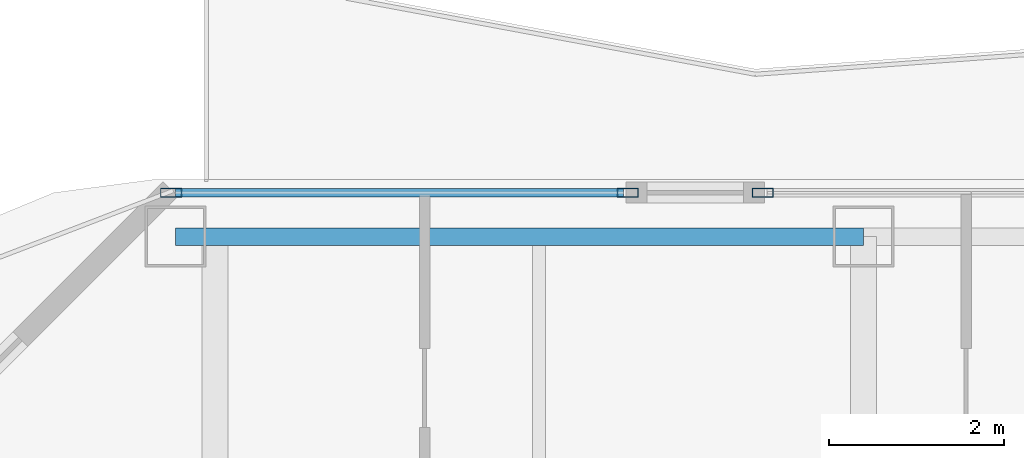
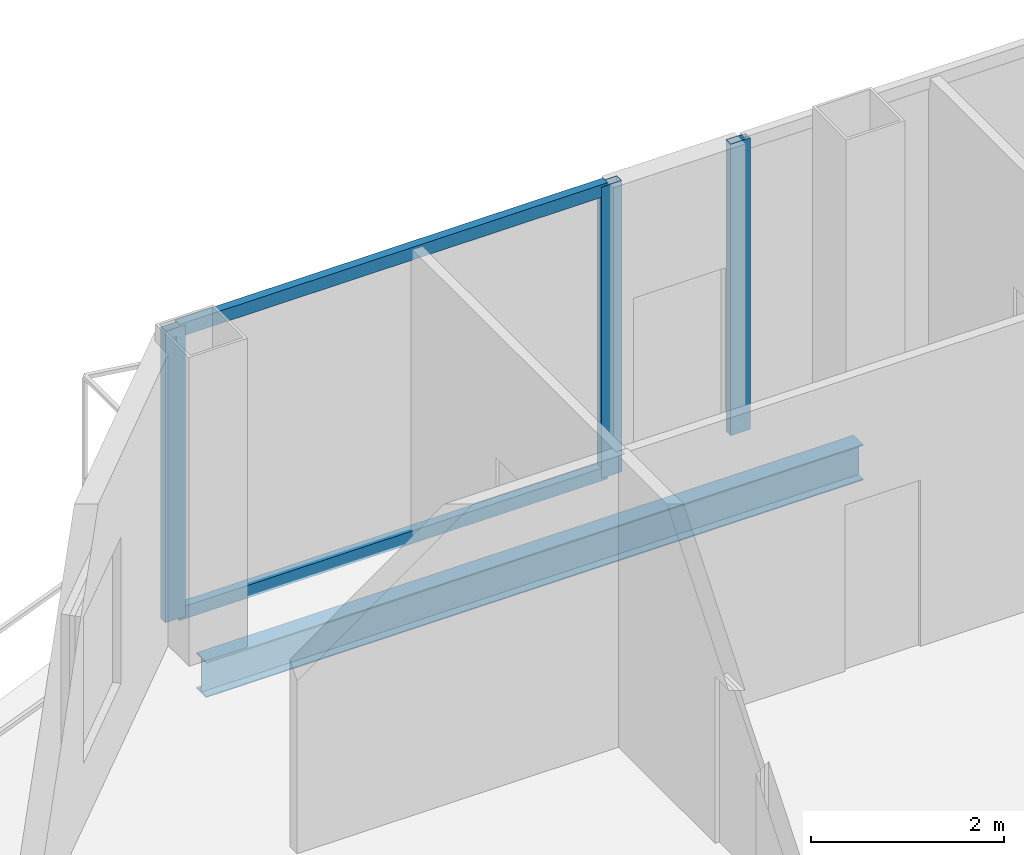
# One storey, part 14 of 26: 5 members, 1 beam, 2 elements without a shape of their own.
"""IFC4 building model written with IfcOpenShell, lengths in metres."""

from ifc_helpers import new_model, si_unit, direction, frame, origin, origin_2d, place, context, subcontext, project, spatial, hollow_rectangle, i_section, extrude, material, layer, layer_set, material_profile, profile_set, type_object, element, aggregate, save


model = new_model("IFC4")

# Units and contexts
model_context = context("Model", 3, precision=1e-05, world=origin(), true_north=direction((0.0, 1.0)))
body_context = subcontext(model_context, "Body", "Model", "MODEL_VIEW")
ifc_project = project(units=[si_unit("LENGTHUNIT", "METRE"), si_unit("AREAUNIT", "SQUARE_METRE"), si_unit("VOLUMEUNIT", "CUBIC_METRE"), si_unit("PLANEANGLEUNIT", "RADIAN"), si_unit("MASSUNIT", "GRAM", prefix="KILO")], contexts=[model_context])

# Site, building, storey
site_placement = place(None, origin())
site = spatial("IfcSite", under=ifc_project, at=site_placement, CompositionType="ELEMENT")
building_placement = place(site_placement, origin())
building = spatial("IfcBuilding", under=site, at=building_placement, Name="Khorvyn Point Tower", CompositionType="ELEMENT")
storey_placement = place(building_placement, frame((0.0, 0.0, 113.39990234375)))
storey = spatial("IfcBuildingStorey", under=building, at=storey_placement, Name="L28", CompositionType="ELEMENT", Elevation=113.39990234375)

# Curtain wall, members
ifc_material_1 = material(Name="Anodised aluminium 6063-T6 and laminated Low-E glass", Category="aluminium")
ifc_layer = layer(ifc_material_1, 0.18994140625)
ifc_layer_set = layer_set([ifc_layer], Name="Stick-Built Acoustic Curtain Wall CW-SYS-03")
curtain_wall_type = type_object("IfcCurtainWallType", Name="Stick-Built Acoustic Curtain Wall CW-SYS-03", PredefinedType="NOTDEFINED", material=ifc_layer_set)
curtain_wall_1_placement = place(storey_placement, origin())
curtain_wall_1 = element("IfcCurtainWall", 1, at=curtain_wall_1_placement, inside=storey, type_object=curtain_wall_type, Name="Curtain Wall", PredefinedType="NOTDEFINED")
ifc_material_2 = material(Name="Anodised aluminium 6063-T6", Category="aluminium")
ifc_material_profile_1 = material_profile(ifc_material_2, hollow_rectangle(XDim=0.10009765625, YDim=0.239990234375, WallThickness=0.0048828125, at=origin_2d()))
ifc_profile_set_1 = profile_set([ifc_material_profile_1], Name="Anodised aluminium 6063-T6 ALU-MUL-100x240")
member_type_1 = type_object("IfcMemberType", Name="Anodised Aluminium 6063-T6 Mullion ALU-MUL-100x240", PredefinedType="MULLION", material=ifc_profile_set_1)
member_1_placement = place(storey_placement, frame((-15.300048828125, 29.449951171875, 0.0), z_axis=(0.0, 0.0, 1.0), x_axis=(0.0, 1.0, 0.0)))
member_1 = element("IfcMember", 2, at=member_1_placement, type_object=member_type_1, Name="Transom", PredefinedType="MULLION", context=body_context, shape_type="SweptSolid", body=[
    extrude(hollow_rectangle(XDim=0.10009765625, YDim=0.239990234375, WallThickness=0.0048828125, at=origin_2d()), origin(), (0.0, 0.0, 1.0), 3.68017578125),
])
member_2_placement = place(storey_placement, frame((-10.089111328125, 29.449951171875, 0.0), z_axis=(0.0, 0.0, 1.0), x_axis=(0.0, 1.0, 0.0)))
member_2 = element("IfcMember", 3, at=member_2_placement, type_object=member_type_1, Name="Transom", PredefinedType="MULLION", context=body_context, shape_type="SweptSolid", body=[
    extrude(hollow_rectangle(XDim=0.10009765625, YDim=0.239990234375, WallThickness=0.0048828125, at=origin_2d()), origin(), (0.0, 0.0, 1.0), 3.68017578125),
])

# Curtain wall, member
curtain_wall_2_placement = place(storey_placement, origin())
curtain_wall_2 = element("IfcCurtainWall", 4, at=curtain_wall_2_placement, inside=storey, type_object=curtain_wall_type, Name="Curtain Wall", PredefinedType="NOTDEFINED")
member_3_placement = place(storey_placement, frame((-8.549072265625, 29.449951171875, 0.0), z_axis=(0.0, 0.0, 1.0), x_axis=(0.0, 1.0, 0.0)))
member_3 = element("IfcMember", 5, at=member_3_placement, type_object=member_type_1, Name="Transom", PredefinedType="MULLION", context=body_context, shape_type="SweptSolid", body=[
    extrude(hollow_rectangle(XDim=0.10009765625, YDim=0.239990234375, WallThickness=0.0048828125, at=origin_2d()), origin(), (0.0, 0.0, 1.0), 3.68017578125),
])
aggregate(curtain_wall_2, [member_3])

# Member
ifc_material_profile_2 = material_profile(ifc_material_2, hollow_rectangle(XDim=0.10009765625, YDim=0.159912109375, WallThickness=0.00439453125, at=origin_2d()))
ifc_profile_set_2 = profile_set([ifc_material_profile_2], Name="Anodised aluminium 6063-T6 ALU-TRN-100x160")
member_type_2 = type_object("IfcMemberType", Name="Anodised Aluminium 6063-T6 Transom ALU-TRN-100x160", PredefinedType="USERDEFINED", material=ifc_profile_set_2)
member_4_placement = place(storey_placement, frame((-15.25, 29.449951171875, 0.050048828125), z_axis=(1.0, 0.0, 0.0), x_axis=(0.0, 1.0, 0.0)))
member_4 = element("IfcMember", 6, at=member_4_placement, type_object=member_type_2, Name="Transom", ObjectType="TRANSOM", PredefinedType="USERDEFINED", context=body_context, shape_type="SweptSolid", body=[
    extrude(hollow_rectangle(XDim=0.10009765625, YDim=0.159912109375, WallThickness=0.00439453125, at=origin_2d()), origin(), (0.0, 0.0, 1.0), 5.111083984375),
])

member_5_placement = place(storey_placement, frame((-15.25, 29.449951171875, 3.630126953125), z_axis=(1.0, 0.0, 0.0), x_axis=(0.0, 1.0, 0.0)))
member_5 = element("IfcMember", 7, at=member_5_placement, type_object=member_type_2, Name="Transom", ObjectType="TRANSOM", PredefinedType="USERDEFINED", context=body_context, shape_type="SweptSolid", body=[
    extrude(hollow_rectangle(XDim=0.10009765625, YDim=0.159912109375, WallThickness=0.00439453125, at=origin_2d()), origin(), (0.0, 0.0, 1.0), 5.111083984375),
])

aggregate(curtain_wall_1, [member_1, member_2, member_4, member_5])

# Beam
ifc_material_3 = material(Name="Steel S355", Category="steel")
ifc_material_profile_3 = material_profile(ifc_material_3, i_section(OverallWidth=0.199951171875, OverallDepth=0.449951171875, WebThickness=0.009033203125, FlangeThickness=0.013916015625, at=origin_2d()))
ifc_profile_set_3 = profile_set([ifc_material_profile_3], Name="Steel S355 H450x200x9x14")
beam_type = type_object("IfcBeamType", Name="Steel S355 Spandrel H450x200x9x14", PredefinedType="SPANDREL", material=ifc_profile_set_3)
beam_placement = place(storey_placement, frame((-15.25, 28.949951171875, -0.44482421875), z_axis=(1.0, 0.0, 0.0), x_axis=(0.0, 1.0, 0.0)))
element("IfcBeam", 8, at=beam_placement, inside=storey, type_object=beam_type, Name="Beam", PredefinedType="SPANDREL", context=body_context, shape_type="SweptSolid", body=[
    extrude(i_section(OverallWidth=0.199951171875, OverallDepth=0.449951171875, WebThickness=0.009033203125, FlangeThickness=0.013916015625, at=origin_2d()), origin(), (0.0, 0.0, 1.0), 7.85009765625),
])

save(model, "model.ifc")
